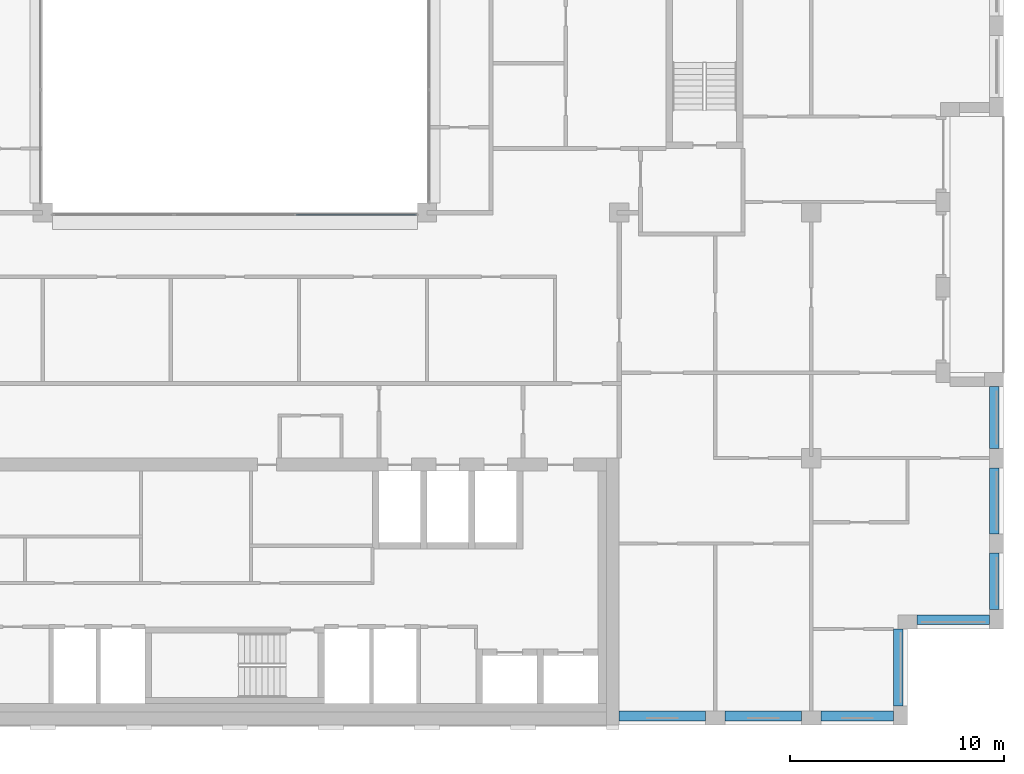
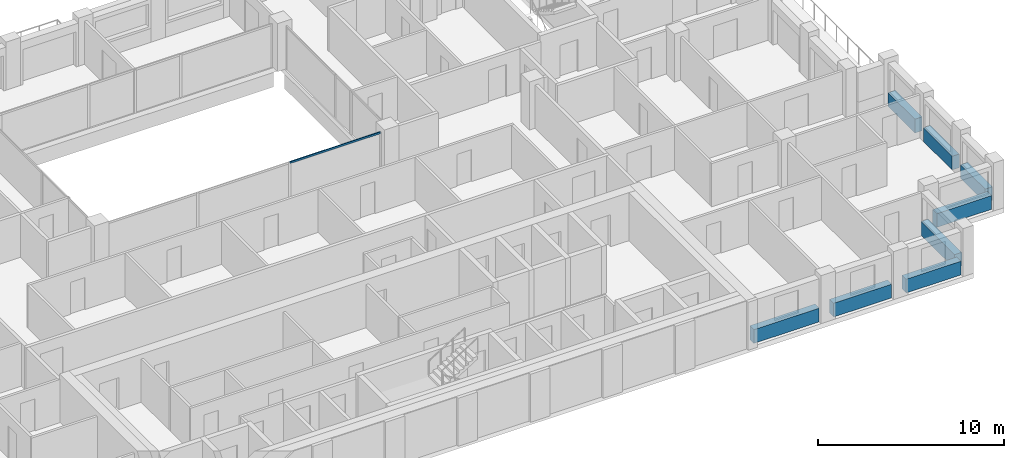
# One storey, part 3 of 16: 8 beams, 1 member, 1 element without a shape of its own.
"""IFC4 building model written with IfcOpenShell, lengths in metres."""

from ifc_helpers import new_model, si_unit, direction, frame, origin, origin_2d, place, context, subcontext, project, spatial, rectangle, extrude, material, layer, layer_set, material_profile, profile_set, type_object, element, aggregate, save


model = new_model("IFC4")

# Units and contexts
model_context = context("Model", 3, precision=1e-05, world=origin(), true_north=direction((0.0, 1.0)))
body_context = subcontext(model_context, "Body", "Model", "MODEL_VIEW")
ifc_project = project(units=[si_unit("LENGTHUNIT", "METRE"), si_unit("AREAUNIT", "SQUARE_METRE"), si_unit("VOLUMEUNIT", "CUBIC_METRE"), si_unit("PLANEANGLEUNIT", "RADIAN"), si_unit("MASSUNIT", "GRAM", prefix="KILO")], contexts=[model_context])

# Site, building, storey
site_placement = place(None, origin())
site = spatial("IfcSite", under=ifc_project, at=site_placement, CompositionType="ELEMENT")
building_placement = place(site_placement, origin())
building = spatial("IfcBuilding", under=site, at=building_placement, Name="Brigalow Station Residences", CompositionType="ELEMENT")
storey_placement = place(building_placement, frame((0.0, 0.0, 198.0)))
storey = spatial("IfcBuildingStorey", under=building, at=storey_placement, Name="L56", CompositionType="ELEMENT", Elevation=198.0)

# Curtain wall, member
ifc_material_1 = material(Name="Aluminium", Category="aluminium")
ifc_layer = layer(ifc_material_1, 0.14990234375)
ifc_layer_set = layer_set([ifc_layer], Name="ATRIUM FIRE-RATED GLAZING CURTAIN WALL")
curtain_wall_type = type_object("IfcCurtainWallType", Name="ATRIUM FIRE-RATED GLAZING CURTAIN WALL", PredefinedType="NOTDEFINED", material=ifc_layer_set)
curtain_wall_placement = place(storey_placement, origin())
curtain_wall = element("IfcCurtainWall", 1, at=curtain_wall_placement, inside=storey, type_object=curtain_wall_type, Name="L56/cw/atrium-S", PredefinedType="NOTDEFINED")
ifc_material_2 = material(Name="Aluminium", Category="aluminium")
ifc_material_profile_1 = material_profile(ifc_material_2, rectangle(XDim=0.06005859375, YDim=0.1201171875, at=origin_2d()), Name="ATRIUM FIRE-RATED GLAZING TRANSOM 60x120")
ifc_profile_set_1 = profile_set([ifc_material_profile_1], Name="Aluminium")
member_type = type_object("IfcMemberType", Name="ATRIUM FIRE-RATED GLAZING TRANSOM 60x120", PredefinedType="USERDEFINED", material=ifc_profile_set_1)
member_placement = place(storey_placement, frame((38.8798828125, 23.89990234375, 2.800048828125), z_axis=(1.0, 0.0, 0.0), x_axis=(0.0, 1.0, 0.0)))
member = element("IfcMember", 2, at=member_placement, type_object=member_type, Name="L56/cw/atrium-S/T02-00", ObjectType="TRANSOM", PredefinedType="USERDEFINED", context=body_context, shape_type="SweptSolid", body=[
    extrude(rectangle(XDim=0.06005859375, YDim=0.1201171875, at=origin_2d()), origin(), (0.0, 0.0, 1.0), 5.610107421875),
])
aggregate(curtain_wall, [member])

# Beams
ifc_material_3 = material(Name="Concrete C50", Category="concrete")
ifc_material_profile_2 = material_profile(ifc_material_3, rectangle(XDim=0.449951171875, YDim=0.89990234375, at=origin_2d()), Name="RC450x900")
ifc_profile_set_2 = profile_set([ifc_material_profile_2], Name="Concrete C50")
beam_type = type_object("IfcBeamType", Name="SPANDREL BEAM 450x900 C50", PredefinedType="SPANDREL", material=ifc_profile_set_2)
beam_1_placement = place(storey_placement, frame((54.0, 0.425048828125, 0.449951171875), z_axis=(1.0, 0.0, 0.0), x_axis=(0.0, 1.0, 0.0)))
element("IfcBeam", 3, at=beam_1_placement, inside=storey, type_object=beam_type, Name="L56/spandrel/W-L56-3", PredefinedType="SPANDREL", context=body_context, shape_type="SweptSolid", body=[
    extrude(rectangle(XDim=0.449951171875, YDim=0.89990234375, at=origin_2d()), origin(), (0.0, 0.0, 1.0), 4.050048828125),
])
beam_2_placement = place(storey_placement, frame((58.949951171875, 0.425048828125, 0.449951171875), z_axis=(1.0, 0.0, 0.0), x_axis=(0.0, 1.0, 0.0)))
element("IfcBeam", 4, at=beam_2_placement, inside=storey, type_object=beam_type, Name="L56/spandrel/W-L56-4", PredefinedType="SPANDREL", context=body_context, shape_type="SweptSolid", body=[
    extrude(rectangle(XDim=0.449951171875, YDim=0.89990234375, at=origin_2d()), origin(), (0.0, 0.0, 1.0), 3.60009765625),
])
beam_3_placement = place(storey_placement, frame((63.449951171875, 0.425048828125, 0.449951171875), z_axis=(1.0, 0.0, 0.0), x_axis=(0.0, 1.0, 0.0)))
element("IfcBeam", 5, at=beam_3_placement, inside=storey, type_object=beam_type, Name="L56/spandrel/W-L56-5", PredefinedType="SPANDREL", context=body_context, shape_type="SweptSolid", body=[
    extrude(rectangle(XDim=0.449951171875, YDim=0.89990234375, at=origin_2d()), origin(), (0.0, 0.0, 1.0), 3.400146484375),
])
beam_4_placement = place(storey_placement, frame((67.074951171875, 0.89990234375, 0.449951171875), z_axis=(0.0, 1.0, 0.0), x_axis=(-1.0, 0.0, 0.0)))
element("IfcBeam", 6, at=beam_4_placement, inside=storey, type_object=beam_type, Name="L56/spandrel/W-L56-6", PredefinedType="SPANDREL", context=body_context, shape_type="SweptSolid", body=[
    extrude(rectangle(XDim=0.449951171875, YDim=0.89990234375, at=origin_2d()), origin(), (0.0, 0.0, 1.0), 3.60009765625),
])
beam_5_placement = place(storey_placement, frame((67.949951171875, 4.925048828125, 0.449951171875), z_axis=(1.0, 0.0, 0.0), x_axis=(0.0, 1.0, 0.0)))
element("IfcBeam", 7, at=beam_5_placement, inside=storey, type_object=beam_type, Name="L56/spandrel/W-L56-7", PredefinedType="SPANDREL", context=body_context, shape_type="SweptSolid", body=[
    extrude(rectangle(XDim=0.449951171875, YDim=0.89990234375, at=origin_2d()), origin(), (0.0, 0.0, 1.0), 3.400146484375),
])
beam_6_placement = place(storey_placement, frame((71.574951171875, 5.39990234375, 0.449951171875), z_axis=(0.0, 1.0, 0.0), x_axis=(-1.0, 0.0, 0.0)))
element("IfcBeam", 8, at=beam_6_placement, inside=storey, type_object=beam_type, Name="L56/spandrel/W-L56-8", PredefinedType="SPANDREL", context=body_context, shape_type="SweptSolid", body=[
    extrude(rectangle(XDim=0.449951171875, YDim=0.89990234375, at=origin_2d()), origin(), (0.0, 0.0, 1.0), 2.650146484375),
])
beam_7_placement = place(storey_placement, frame((71.574951171875, 8.949951171875, 0.449951171875), z_axis=(0.0, 1.0, 0.0), x_axis=(-1.0, 0.0, 0.0)))
element("IfcBeam", 9, at=beam_7_placement, inside=storey, type_object=beam_type, Name="L56/spandrel/W-L56-9", PredefinedType="SPANDREL", context=body_context, shape_type="SweptSolid", body=[
    extrude(rectangle(XDim=0.449951171875, YDim=0.89990234375, at=origin_2d()), origin(), (0.0, 0.0, 1.0), 3.10009765625),
])
beam_8_placement = place(storey_placement, frame((71.574951171875, 12.949951171875, 0.449951171875), z_axis=(0.0, 1.0, 0.0), x_axis=(-1.0, 0.0, 0.0)))
element("IfcBeam", 10, at=beam_8_placement, inside=storey, type_object=beam_type, Name="L56/spandrel/W-L56-10", PredefinedType="SPANDREL", context=body_context, shape_type="SweptSolid", body=[
    extrude(rectangle(XDim=0.449951171875, YDim=0.89990234375, at=origin_2d()), origin(), (0.0, 0.0, 1.0), 2.900146484375),
])

save(model, "model.ifc")
